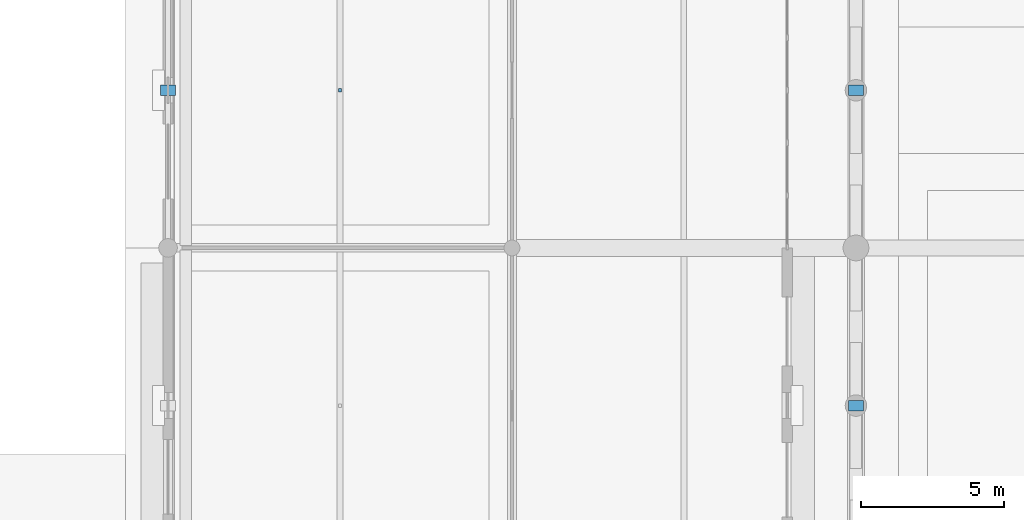
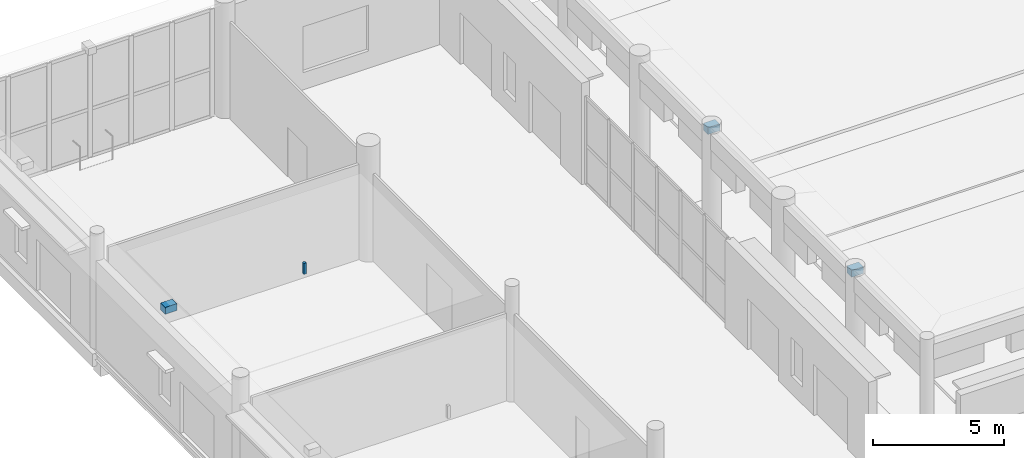
# One storey, part 81 of 120: 4 discrete accessories.
"""IFC4 building model written with IfcOpenShell, lengths in metres."""

from ifc_helpers import new_model, si_unit, direction, frame, origin, origin_2d, place, context, subcontext, project, spatial, rectangle, extrude, material, layer, layer_set, type_object, element, save


model = new_model("IFC4")

# Units and contexts
model_context = context("Model", 3, precision=1e-05, world=origin(), true_north=direction((0.0, 1.0)))
body_context = subcontext(model_context, "Body", "Model", "MODEL_VIEW")
ifc_project = project(units=[si_unit("LENGTHUNIT", "METRE"), si_unit("AREAUNIT", "SQUARE_METRE"), si_unit("VOLUMEUNIT", "CUBIC_METRE"), si_unit("PLANEANGLEUNIT", "RADIAN"), si_unit("MASSUNIT", "GRAM", prefix="KILO")], contexts=[model_context])

# Site, building, storey
site_placement = place(None, origin())
site = spatial("IfcSite", under=ifc_project, at=site_placement, CompositionType="ELEMENT")
building_placement = place(site_placement, origin())
building = spatial("IfcBuilding", under=site, at=building_placement, Name="Luwafu Chhajja Arena", CompositionType="ELEMENT")
storey_placement = place(building_placement, origin())
storey = spatial("IfcBuildingStorey", under=building, at=storey_placement, Name="L00", CompositionType="ELEMENT", Elevation=0.0)

# Discrete accessories
ifc_material = material(Name="Stainless steel bracket", Category="steel")
ifc_layer = layer(ifc_material, 0.179931640625, Name="Stainless steel bracket")
ifc_layer_set = layer_set([ifc_layer], Name="Stainless steel bracket")
discrete_accessory_type = type_object("IfcDiscreteAccessoryType", Name="Stainless Steel Facade Support Bracket", PredefinedType="BRACKET", material=ifc_layer_set)
for number, where, z_axis, x_axis, name in (
    (1, (34.0, 115.5, 4.97998046875), (0.0, 0.0, 1.0), (0.0, 1.0, 0.0), "L00 Chhajja Eave Support Bracket 0082"),
    (2, (58.0, 104.5, 4.97998046875), (0.0, 0.0, 1.0), (0.0, 1.0, 0.0), "L00 Chhajja Eave Support Bracket 0087"),
    (3, (58.0, 115.5, 4.97998046875), (0.0, 0.0, 1.0), (0.0, 1.0, 0.0), "L00 Chhajja Eave Support Bracket 0088"),
):
    element("IfcDiscreteAccessory", number, at=place(storey_placement, frame(where, z_axis=z_axis, x_axis=x_axis)), inside=storey, type_object=discrete_accessory_type, Name=name, PredefinedType="BRACKET", context=body_context, shape_type="SweptSolid", body=[
        extrude(rectangle(XDim=0.360107421875, YDim=0.52001953125, at=origin_2d()), origin(), (0.0, 0.0, 1.0), 0.320068359375),
    ])
discrete_accessory_placement = place(storey_placement, frame((40.0, 115.5, 4.59619140625), z_axis=(0.0, 0.0, 1.0), x_axis=(1.0, 0.0, 0.0)))
element("IfcDiscreteAccessory", 4, at=discrete_accessory_placement, inside=storey, type_object=discrete_accessory_type, Name="L00 Ceiling Suspension Hanger 009", PredefinedType="BRACKET", context=body_context, shape_type="SweptSolid", body=[
    extrude(rectangle(XDim=0.1201171875, YDim=0.1201171875, at=origin_2d()), origin(), (0.0, 0.0, 1.0), 0.513916015625),
])

save(model, "model.ifc")
